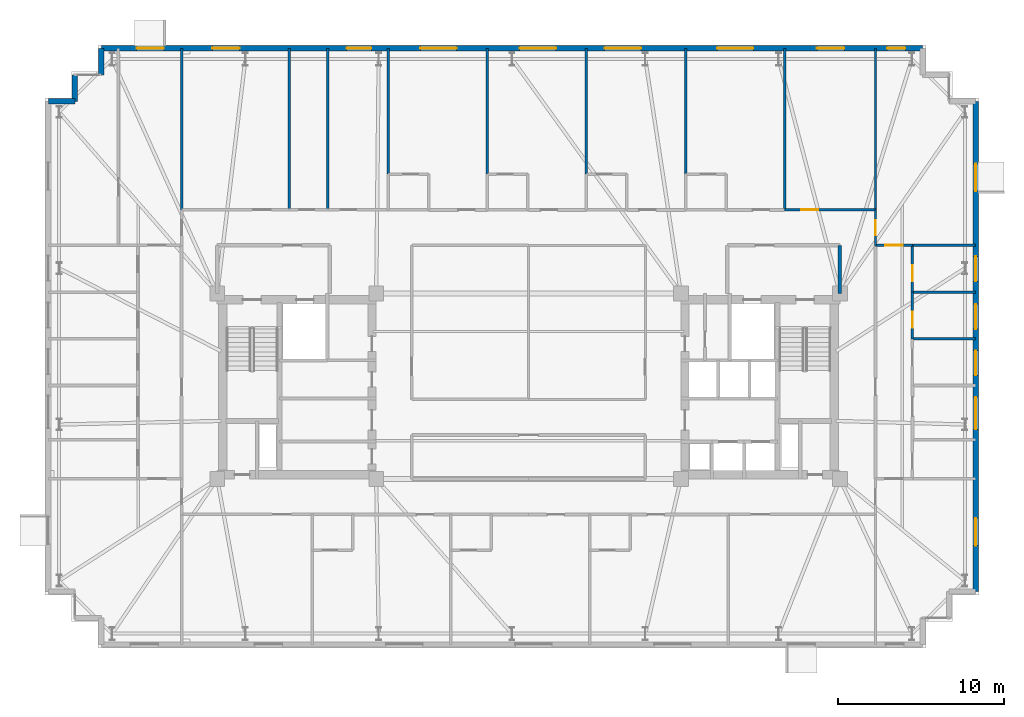
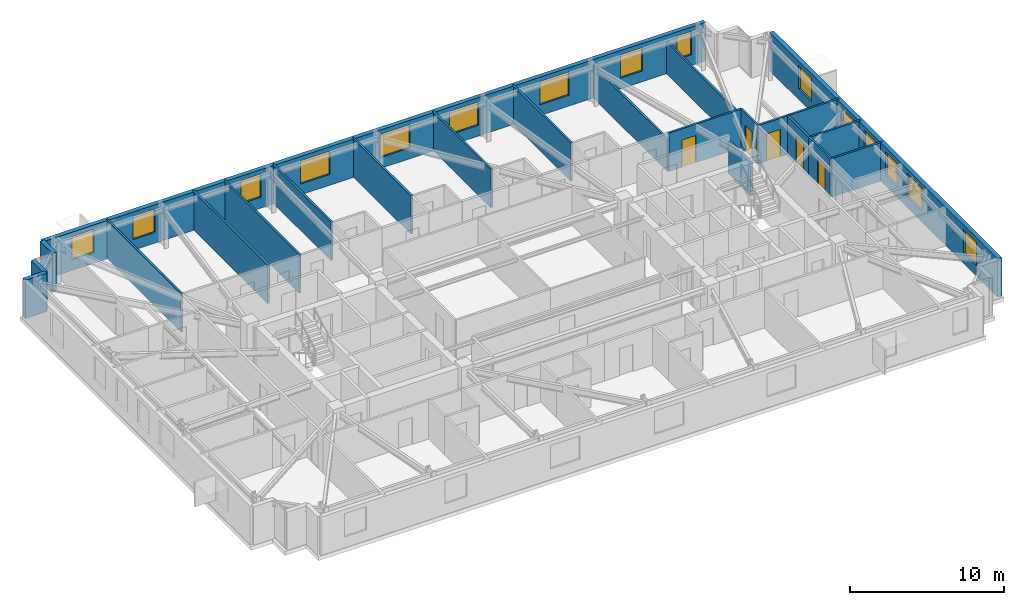
# One storey, part 15 of 19: 23 walls, 15 windows, 5 doors, 20 openings.
"""IFC4 building model written with IfcOpenShell, lengths in metres."""

from ifc_helpers import new_model, si_unit, direction, frame, frame_2d, origin, place, context, subcontext, project, spatial, rectangle, extrude, material, layer, layer_set, type_object, element, fill, save


model = new_model("IFC4")

# Units and contexts
model_context = context("Model", 3, precision=1e-05, world=origin(), true_north=direction((0.0, 1.0)))
body_context = subcontext(model_context, "Body", "Model", "MODEL_VIEW")
ifc_project = project(units=[si_unit("LENGTHUNIT", "METRE"), si_unit("AREAUNIT", "SQUARE_METRE"), si_unit("VOLUMEUNIT", "CUBIC_METRE"), si_unit("PLANEANGLEUNIT", "RADIAN"), si_unit("MASSUNIT", "GRAM", prefix="KILO")], contexts=[model_context])

# Site, building, storey
site_placement = place(None, origin())
site = spatial("IfcSite", under=ifc_project, at=site_placement, CompositionType="ELEMENT")
building_placement = place(site_placement, origin())
building = spatial("IfcBuilding", under=site, at=building_placement, Name="Qobustan Lattice House", CompositionType="ELEMENT")
storey_placement = place(building_placement, frame((0.0, 0.0, 137.699951171875)))
storey = spatial("IfcBuildingStorey", under=building, at=storey_placement, Name="L38", CompositionType="ELEMENT", Elevation=137.699951171875)

# Walls
ifc_material_1 = material(Name="Precast concrete C40/50", Category="concrete")
ifc_layer_1 = layer(ifc_material_1, 0.320068359375)
ifc_layer_set_1 = layer_set([ifc_layer_1], Name="Precast concrete C40/50")
wall_type_1 = type_object("IfcWallType", Name="WAL-EXT-STONE-320", PredefinedType="SOLIDWALL", material=ifc_layer_set_1)
for number, where, z_axis, x_axis, name in (
    (1, (-29.0, 17.199951171875, 0.0), (0.0, 0.0, 1.0), (1.0, 0.0, 0.0), "L38 exterior limestone-clad wall 6"),
    (2, (-27.39990234375, 17.199951171875, 0.0), (0.0, 0.0, 1.0), (0.0, 1.0, 0.0), "L38 exterior limestone-clad wall 7"),
):
    element("IfcWall", number, at=place(storey_placement, frame(where, z_axis=z_axis, x_axis=x_axis)), inside=storey, type_object=wall_type_1, Name=name, PredefinedType="SOLIDWALL", context=body_context, shape_type="SweptSolid", body=[
        extrude(rectangle(XDim=1.60009765625, YDim=0.320068359375, at=frame_2d((0.800048828125, 0.0))), origin(), (0.0, 0.0, 1.0), 3.0400390625),
    ])
wall_1_placement = place(storey_placement, frame((-25.800048828125, 18.800048828125, 0.0), z_axis=(0.0, 0.0, 1.0), x_axis=(0.0, 1.0, 0.0)))
element("IfcWall", 3, at=wall_1_placement, inside=storey, type_object=wall_type_1, Name="L38 exterior limestone-clad wall 9", PredefinedType="SOLIDWALL", context=body_context, shape_type="SweptSolid", body=[
    extrude(rectangle(XDim=1.599853515625, YDim=0.320068359375, at=frame_2d((0.7998046875, 0.0))), origin(), (0.0, 0.0, 1.0), 3.0400390625),
])

# Wall, openings, windows
wall_2_placement = place(storey_placement, frame((-25.800048828125, 20.39990234375, 0.0), z_axis=(0.0, 0.0, 1.0), x_axis=(1.0, 0.0, 0.0)))
wall_2 = element("IfcWall", 4, at=wall_2_placement, inside=storey, type_object=wall_type_1, Name="L38 exterior limestone-clad wall 10", PredefinedType="SOLIDWALL", context=body_context, shape_type="SweptSolid", body=[
    extrude(rectangle(XDim=49.60009765625, YDim=0.320068359375, at=frame_2d((24.800048828125, 0.0))), origin(), (0.0, 0.0, 1.0), 3.0400390625),
])
opening_1_placement = place(wall_2_placement, frame((2.135009765625, 0.0, 0.85009765625)))
opening_1 = element("IfcOpeningElement", 5, at=opening_1_placement, cuts=wall_2, Name="Opening WN-09", PredefinedType="OPENING", context=body_context, shape_type="SweptSolid", body=[
    extrude(rectangle(XDim=1.64990234375, YDim=1.85009765625, at=frame_2d((0.824951171875, 0.925048828125))), frame((0.0, 0.169921875, 0.0), z_axis=(0.0, -1.0, 0.0), x_axis=(1.0, 0.0, 0.0)), (0.0, 0.0, 1.0), 0.340087890625),
])
opening_2_placement = place(wall_2_placement, frame((6.70556640625, 0.0, 0.85009765625)))
opening_2 = element("IfcOpeningElement", 6, at=opening_2_placement, cuts=wall_2, Name="Opening WN-09", PredefinedType="OPENING", context=body_context, shape_type="SweptSolid", body=[
    extrude(rectangle(XDim=1.64990234375, YDim=1.85009765625, at=frame_2d((0.824951171875, 0.925048828125))), frame((0.0, 0.169921875, 0.0), z_axis=(0.0, -1.0, 0.0), x_axis=(1.0, 0.0, 0.0)), (0.0, 0.0, 1.0), 0.340087890625),
])
opening_3_placement = place(wall_2_placement, frame((14.81005859375, 0.0, 0.85009765625)))
opening_3 = element("IfcOpeningElement", 7, at=opening_3_placement, cuts=wall_2, Name="Opening WN-01", PredefinedType="OPENING", context=body_context, shape_type="SweptSolid", body=[
    extrude(rectangle(XDim=1.5, YDim=1.85009765625, at=frame_2d((0.75, 0.925048828125))), frame((0.0, 0.169921875, 0.0), z_axis=(0.0, -1.0, 0.0), x_axis=(1.0, 0.0, 0.0)), (0.0, 0.0, 1.0), 0.340087890625),
])
opening_4_placement = place(wall_2_placement, frame((19.260009765625, 0.0, 0.85009765625)))
opening_4 = element("IfcOpeningElement", 8, at=opening_4_placement, cuts=wall_2, Name="Opening WN-03", PredefinedType="OPENING", context=body_context, shape_type="SweptSolid", body=[
    extrude(rectangle(XDim=2.199951171875, YDim=1.85009765625, at=frame_2d((1.10009765625, 0.925048828125))), frame((0.0, 0.169921875, 0.0), z_axis=(0.0, -1.0, 0.0), x_axis=(1.0, 0.0, 0.0)), (0.0, 0.0, 1.0), 0.340087890625),
])
opening_5_placement = place(wall_2_placement, frame((25.260009765625, 0.0, 0.85009765625)))
opening_5 = element("IfcOpeningElement", 9, at=opening_5_placement, cuts=wall_2, Name="Opening WN-03", PredefinedType="OPENING", context=body_context, shape_type="SweptSolid", body=[
    extrude(rectangle(XDim=2.199951171875, YDim=1.85009765625, at=frame_2d((1.10009765625, 0.925048828125))), frame((0.0, 0.169921875, 0.0), z_axis=(0.0, -1.0, 0.0), x_axis=(1.0, 0.0, 0.0)), (0.0, 0.0, 1.0), 0.340087890625),
])
opening_6_placement = place(wall_2_placement, frame((30.39990234375, 0.0, 0.85009765625)))
opening_6 = element("IfcOpeningElement", 10, at=opening_6_placement, cuts=wall_2, Name="Opening WN-03", PredefinedType="OPENING", context=body_context, shape_type="SweptSolid", body=[
    extrude(rectangle(XDim=2.199951171875, YDim=1.85009765625, at=frame_2d((1.10009765625, 0.925048828125))), frame((0.0, 0.169921875, 0.0), z_axis=(0.0, -1.0, 0.0), x_axis=(1.0, 0.0, 0.0)), (0.0, 0.0, 1.0), 0.340087890625),
])
opening_7_placement = place(wall_2_placement, frame((37.179931640625, 0.0, 0.85009765625)))
opening_7 = element("IfcOpeningElement", 11, at=opening_7_placement, cuts=wall_2, Name="Opening WN-03", PredefinedType="OPENING", context=body_context, shape_type="SweptSolid", body=[
    extrude(rectangle(XDim=2.199951171875, YDim=1.85009765625, at=frame_2d((1.10009765625, 0.925048828125))), frame((0.0, 0.169921875, 0.0), z_axis=(0.0, -1.0, 0.0), x_axis=(1.0, 0.0, 0.0)), (0.0, 0.0, 1.0), 0.340087890625),
])
opening_8_placement = place(wall_2_placement, frame((43.215087890625, 0.0, 0.85009765625)))
opening_8 = element("IfcOpeningElement", 12, at=opening_8_placement, cuts=wall_2, Name="Opening WN-09", PredefinedType="OPENING", context=body_context, shape_type="SweptSolid", body=[
    extrude(rectangle(XDim=1.64990234375, YDim=1.85009765625, at=frame_2d((0.824951171875, 0.925048828125))), frame((0.0, 0.169921875, 0.0), z_axis=(0.0, -1.0, 0.0), x_axis=(1.0, 0.0, 0.0)), (0.0, 0.0, 1.0), 0.340087890625),
])
opening_9_placement = place(wall_2_placement, frame((47.449951171875, 0.0, 0.85009765625)))
opening_9 = element("IfcOpeningElement", 13, at=opening_9_placement, cuts=wall_2, Name="Opening WN-04", PredefinedType="OPENING", context=body_context, shape_type="SweptSolid", body=[
    extrude(rectangle(XDim=1.10009765625, YDim=1.85009765625, at=frame_2d((0.550048828125, 0.925048828125))), frame((0.0, 0.169921875, 0.0), z_axis=(0.0, -1.0, 0.0), x_axis=(1.0, 0.0, 0.0)), (0.0, 0.0, 1.0), 0.340087890625),
])
ifc_material_2 = material(Name="Double-glazed low-E aluminium window", Category="aluminium")
window_type_1 = type_object("IfcWindowType", Name="WIN-BED-1500x1850", PartitioningType="SINGLE_PANEL", PredefinedType="WINDOW", material=ifc_material_2)
window_1_placement = place(opening_3_placement, origin())
window_1 = element("IfcWindow", 14, at=window_1_placement, inside=storey, type_object=window_type_1, Name="L38 Laundry utility room window", OverallHeight=1.85009765625, OverallWidth=1.5, PartitioningType="SINGLE_PANEL", PredefinedType="WINDOW", context=body_context, shape_type="SweptSolid", body=[
    extrude(rectangle(XDim=1.5, YDim=1.85009765625, at=frame_2d((0.75, 0.925048828125))), frame((0.0, 0.030029296875, 0.0), z_axis=(0.0, -1.0, 0.0), x_axis=(1.0, 0.0, 0.0)), (0.0, 0.0, 1.0), 0.06005859375),
])
fill(opening_3, window_1)
ifc_material_3 = material(Name="Double-glazed low-E aluminium window", Category="aluminium")
window_type_2 = type_object("IfcWindowType", Name="WIN-NAR-1100x1850", PartitioningType="SINGLE_PANEL", PredefinedType="WINDOW", material=ifc_material_3)
window_2_placement = place(opening_9_placement, origin())
window_2 = element("IfcWindow", 15, at=window_2_placement, inside=storey, type_object=window_type_2, Name="L38 Reading study room L38EN window", OverallHeight=1.85009765625, OverallWidth=1.10009765625, PartitioningType="SINGLE_PANEL", PredefinedType="WINDOW", context=body_context, shape_type="SweptSolid", body=[
    extrude(rectangle(XDim=1.10009765625, YDim=1.85009765625, at=frame_2d((0.550048828125, 0.925048828125))), frame((0.0, 0.030029296875, 0.0), z_axis=(0.0, -1.0, 0.0), x_axis=(1.0, 0.0, 0.0)), (0.0, 0.0, 1.0), 0.06005859375),
])
fill(opening_9, window_2)
ifc_material_4 = material(Name="Double-glazed low-E aluminium window", Category="aluminium")
window_type_3 = type_object("IfcWindowType", Name="WIN-STU-1650x1850", PartitioningType="SINGLE_PANEL", PredefinedType="WINDOW", material=ifc_material_4)
window_3_placement = place(opening_1_placement, origin())
window_3 = element("IfcWindow", 16, at=window_3_placement, inside=storey, type_object=window_type_3, Name="L38 Reading seminar room L38WN window", OverallHeight=1.85009765625, OverallWidth=1.64990234375, PartitioningType="SINGLE_PANEL", PredefinedType="WINDOW", context=body_context, shape_type="SweptSolid", body=[
    extrude(rectangle(XDim=1.64990234375, YDim=1.85009765625, at=frame_2d((0.824951171875, 0.925048828125))), frame((0.0, 0.030029296875, 0.0), z_axis=(0.0, -1.0, 0.0), x_axis=(1.0, 0.0, 0.0)), (0.0, 0.0, 1.0), 0.06005859375),
])
fill(opening_1, window_3)
window_4_placement = place(opening_2_placement, origin())
window_4 = element("IfcWindow", 17, at=window_4_placement, inside=storey, type_object=window_type_3, Name="L38 Focus study room N1 window", OverallHeight=1.85009765625, OverallWidth=1.64990234375, PartitioningType="SINGLE_PANEL", PredefinedType="WINDOW", context=body_context, shape_type="SweptSolid", body=[
    extrude(rectangle(XDim=1.64990234375, YDim=1.85009765625, at=frame_2d((0.824951171875, 0.925048828125))), frame((0.0, 0.030029296875, 0.0), z_axis=(0.0, -1.0, 0.0), x_axis=(1.0, 0.0, 0.0)), (0.0, 0.0, 1.0), 0.06005859375),
])
fill(opening_2, window_4)
window_5_placement = place(opening_8_placement, origin())
window_5 = element("IfcWindow", 18, at=window_5_placement, inside=storey, type_object=window_type_3, Name="L38 Focus study room N7 window", OverallHeight=1.85009765625, OverallWidth=1.64990234375, PartitioningType="SINGLE_PANEL", PredefinedType="WINDOW", context=body_context, shape_type="SweptSolid", body=[
    extrude(rectangle(XDim=1.64990234375, YDim=1.85009765625, at=frame_2d((0.824951171875, 0.925048828125))), frame((0.0, 0.030029296875, 0.0), z_axis=(0.0, -1.0, 0.0), x_axis=(1.0, 0.0, 0.0)), (0.0, 0.0, 1.0), 0.06005859375),
])
fill(opening_8, window_5)
ifc_material_5 = material(Name="Double-glazed low-E aluminium window", Category="aluminium")
window_type_4 = type_object("IfcWindowType", Name="WIN-WIDE-2200x1850", PartitioningType="SINGLE_PANEL", PredefinedType="WINDOW", material=ifc_material_5)
window_6_placement = place(opening_4_placement, origin())
window_6 = element("IfcWindow", 19, at=window_6_placement, inside=storey, type_object=window_type_4, Name="L38 Kitchenette and studio apartment L38-N3 window", OverallHeight=1.85009765625, OverallWidth=2.199951171875, PartitioningType="SINGLE_PANEL", PredefinedType="WINDOW", context=body_context, shape_type="SweptSolid", body=[
    extrude(rectangle(XDim=2.199951171875, YDim=1.85009765625, at=frame_2d((1.10009765625, 0.925048828125))), frame((0.0, 0.030029296875, 0.0), z_axis=(0.0, -1.0, 0.0), x_axis=(1.0, 0.0, 0.0)), (0.0, 0.0, 1.0), 0.06005859375),
])
fill(opening_4, window_6)
window_7_placement = place(opening_5_placement, origin())
window_7 = element("IfcWindow", 20, at=window_7_placement, inside=storey, type_object=window_type_4, Name="L38 Kitchenette and studio apartment L38-N4 window", OverallHeight=1.85009765625, OverallWidth=2.199951171875, PartitioningType="SINGLE_PANEL", PredefinedType="WINDOW", context=body_context, shape_type="SweptSolid", body=[
    extrude(rectangle(XDim=2.199951171875, YDim=1.85009765625, at=frame_2d((1.10009765625, 0.925048828125))), frame((0.0, 0.030029296875, 0.0), z_axis=(0.0, -1.0, 0.0), x_axis=(1.0, 0.0, 0.0)), (0.0, 0.0, 1.0), 0.06005859375),
])
fill(opening_5, window_7)
window_8_placement = place(opening_6_placement, origin())
window_8 = element("IfcWindow", 21, at=window_8_placement, inside=storey, type_object=window_type_4, Name="L38 Kitchenette and studio apartment L38-N5 window", OverallHeight=1.85009765625, OverallWidth=2.199951171875, PartitioningType="SINGLE_PANEL", PredefinedType="WINDOW", context=body_context, shape_type="SweptSolid", body=[
    extrude(rectangle(XDim=2.199951171875, YDim=1.85009765625, at=frame_2d((1.10009765625, 0.925048828125))), frame((0.0, 0.030029296875, 0.0), z_axis=(0.0, -1.0, 0.0), x_axis=(1.0, 0.0, 0.0)), (0.0, 0.0, 1.0), 0.06005859375),
])
fill(opening_6, window_8)
window_9_placement = place(opening_7_placement, origin())
window_9 = element("IfcWindow", 22, at=window_9_placement, inside=storey, type_object=window_type_4, Name="L38 Kitchenette and studio apartment L38-N6 window", OverallHeight=1.85009765625, OverallWidth=2.199951171875, PartitioningType="SINGLE_PANEL", PredefinedType="WINDOW", context=body_context, shape_type="SweptSolid", body=[
    extrude(rectangle(XDim=2.199951171875, YDim=1.85009765625, at=frame_2d((1.10009765625, 0.925048828125))), frame((0.0, 0.030029296875, 0.0), z_axis=(0.0, -1.0, 0.0), x_axis=(1.0, 0.0, 0.0)), (0.0, 0.0, 1.0), 0.06005859375),
])
fill(opening_7, window_9)

wall_3_placement = place(storey_placement, frame((27.0, 17.199951171875, 0.0), z_axis=(0.0, 0.0, 1.0), x_axis=(0.0, -1.0, 0.0)))
wall_3 = element("IfcWall", 23, at=wall_3_placement, inside=storey, type_object=wall_type_1, Name="L38 exterior limestone-clad wall 15", PredefinedType="SOLIDWALL", context=body_context, shape_type="SweptSolid", body=[
    extrude(rectangle(XDim=29.599853515625, YDim=0.320068359375, at=frame_2d((14.7998046875, 0.0))), origin(), (0.0, 0.0, 1.0), 3.0400390625),
])
opening_10_placement = place(wall_3_placement, frame((3.77490234375, 0.0, 0.85009765625)))
opening_10 = element("IfcOpeningElement", 24, at=opening_10_placement, cuts=wall_3, Name="Opening WN-09", PredefinedType="OPENING", context=body_context, shape_type="SweptSolid", body=[
    extrude(rectangle(XDim=1.64990234375, YDim=1.85009765625, at=frame_2d((0.824951171875, 0.925048828125))), frame((0.0, 0.169921875, 0.0), z_axis=(0.0, -1.0, 0.0), x_axis=(1.0, 0.0, 0.0)), (0.0, 0.0, 1.0), 0.340087890625),
])
opening_11_placement = place(wall_3_placement, frame((9.3701171875, 0.0, 0.85009765625)))
opening_11 = element("IfcOpeningElement", 25, at=opening_11_placement, cuts=wall_3, Name="Opening WN-01", PredefinedType="OPENING", context=body_context, shape_type="SweptSolid", body=[
    extrude(rectangle(XDim=1.5, YDim=1.85009765625, at=frame_2d((0.75, 0.925048828125))), frame((0.0, 0.169921875, 0.0), z_axis=(0.0, -1.0, 0.0), x_axis=(1.0, 0.0, 0.0)), (0.0, 0.0, 1.0), 0.340087890625),
])
opening_12_placement = place(wall_3_placement, frame((12.25, 0.0, 0.85009765625)))
opening_12 = element("IfcOpeningElement", 26, at=opening_12_placement, cuts=wall_3, Name="Opening WN-01", PredefinedType="OPENING", context=body_context, shape_type="SweptSolid", body=[
    extrude(rectangle(XDim=1.5, YDim=1.85009765625, at=frame_2d((0.75, 0.925048828125))), frame((0.0, 0.169921875, 0.0), z_axis=(0.0, -1.0, 0.0), x_axis=(1.0, 0.0, 0.0)), (0.0, 0.0, 1.0), 0.340087890625),
])
opening_13_placement = place(wall_3_placement, frame((15.050048828125, 0.0, 0.85009765625)))
opening_13 = element("IfcOpeningElement", 27, at=opening_13_placement, cuts=wall_3, Name="Opening WN-01", PredefinedType="OPENING", context=body_context, shape_type="SweptSolid", body=[
    extrude(rectangle(XDim=1.5, YDim=1.85009765625, at=frame_2d((0.75, 0.925048828125))), frame((0.0, 0.169921875, 0.0), z_axis=(0.0, -1.0, 0.0), x_axis=(1.0, 0.0, 0.0)), (0.0, 0.0, 1.0), 0.340087890625),
])
opening_14_placement = place(wall_3_placement, frame((17.864990234375, 0.0, 0.85009765625)))
opening_14 = element("IfcOpeningElement", 28, at=opening_14_placement, cuts=wall_3, Name="Opening WN-08", PredefinedType="OPENING", context=body_context, shape_type="SweptSolid", body=[
    extrude(rectangle(XDim=1.949951171875, YDim=1.85009765625, at=frame_2d((0.97509765625, 0.925048828125))), frame((0.0, 0.169921875, 0.0), z_axis=(0.0, -1.0, 0.0), x_axis=(1.0, 0.0, 0.0)), (0.0, 0.0, 1.0), 0.340087890625),
])
opening_15_placement = place(wall_3_placement, frame((25.175048828125, 0.0, 0.85009765625)))
opening_15 = element("IfcOpeningElement", 29, at=opening_15_placement, cuts=wall_3, Name="Opening WN-09", PredefinedType="OPENING", context=body_context, shape_type="SweptSolid", body=[
    extrude(rectangle(XDim=1.64990234375, YDim=1.85009765625, at=frame_2d((0.824951171875, 0.925048828125))), frame((0.0, 0.169921875, 0.0), z_axis=(0.0, -1.0, 0.0), x_axis=(1.0, 0.0, 0.0)), (0.0, 0.0, 1.0), 0.340087890625),
])
window_10_placement = place(opening_11_placement, origin())
window_10 = element("IfcWindow", 30, at=window_10_placement, inside=storey, type_object=window_type_1, Name="L38 Cluster bedroom L38E3 window", OverallHeight=1.85009765625, OverallWidth=1.5, PartitioningType="SINGLE_PANEL", PredefinedType="WINDOW", context=body_context, shape_type="SweptSolid", body=[
    extrude(rectangle(XDim=1.5, YDim=1.85009765625, at=frame_2d((0.75, 0.925048828125))), frame((0.0, 0.030029296875, 0.0), z_axis=(0.0, -1.0, 0.0), x_axis=(1.0, 0.0, 0.0)), (0.0, 0.0, 1.0), 0.06005859375),
])
fill(opening_11, window_10)
window_11_placement = place(opening_12_placement, origin())
window_11 = element("IfcWindow", 31, at=window_11_placement, inside=storey, type_object=window_type_1, Name="L38 Cluster bedroom L38E2 window", OverallHeight=1.85009765625, OverallWidth=1.5, PartitioningType="SINGLE_PANEL", PredefinedType="WINDOW", context=body_context, shape_type="SweptSolid", body=[
    extrude(rectangle(XDim=1.5, YDim=1.85009765625, at=frame_2d((0.75, 0.925048828125))), frame((0.0, 0.030029296875, 0.0), z_axis=(0.0, -1.0, 0.0), x_axis=(1.0, 0.0, 0.0)), (0.0, 0.0, 1.0), 0.06005859375),
])
fill(opening_12, window_11)
window_12_placement = place(opening_13_placement, origin())
window_12 = element("IfcWindow", 32, at=window_12_placement, inside=storey, type_object=window_type_1, Name="L38 Cluster bedroom L38E1 window", OverallHeight=1.85009765625, OverallWidth=1.5, PartitioningType="SINGLE_PANEL", PredefinedType="WINDOW", context=body_context, shape_type="SweptSolid", body=[
    extrude(rectangle(XDim=1.5, YDim=1.85009765625, at=frame_2d((0.75, 0.925048828125))), frame((0.0, 0.030029296875, 0.0), z_axis=(0.0, -1.0, 0.0), x_axis=(1.0, 0.0, 0.0)), (0.0, 0.0, 1.0), 0.06005859375),
])
fill(opening_13, window_12)
ifc_material_6 = material(Name="Double-glazed low-E aluminium window", Category="aluminium")
window_type_5 = type_object("IfcWindowType", Name="WIN-KIT-1950x1850", PartitioningType="SINGLE_PANEL", PredefinedType="WINDOW", material=ifc_material_6)
window_13_placement = place(opening_14_placement, origin())
window_13 = element("IfcWindow", 33, at=window_13_placement, inside=storey, type_object=window_type_5, Name="L38 Shared kitchen L38E window", OverallHeight=1.85009765625, OverallWidth=1.949951171875, PartitioningType="SINGLE_PANEL", PredefinedType="WINDOW", context=body_context, shape_type="SweptSolid", body=[
    extrude(rectangle(XDim=1.949951171875, YDim=1.85009765625, at=frame_2d((0.97509765625, 0.925048828125))), frame((0.0, 0.030029296875, 0.0), z_axis=(0.0, -1.0, 0.0), x_axis=(1.0, 0.0, 0.0)), (0.0, 0.0, 1.0), 0.06005859375),
])
fill(opening_14, window_13)
window_14_placement = place(opening_10_placement, origin())
window_14 = element("IfcWindow", 34, at=window_14_placement, inside=storey, type_object=window_type_3, Name="L38 Reading study room L38EN window", OverallHeight=1.85009765625, OverallWidth=1.64990234375, PartitioningType="SINGLE_PANEL", PredefinedType="WINDOW", context=body_context, shape_type="SweptSolid", body=[
    extrude(rectangle(XDim=1.64990234375, YDim=1.85009765625, at=frame_2d((0.824951171875, 0.925048828125))), frame((0.0, 0.030029296875, 0.0), z_axis=(0.0, -1.0, 0.0), x_axis=(1.0, 0.0, 0.0)), (0.0, 0.0, 1.0), 0.06005859375),
])
fill(opening_10, window_14)
window_15_placement = place(opening_15_placement, origin())
window_15 = element("IfcWindow", 35, at=window_15_placement, inside=storey, type_object=window_type_3, Name="L38 Reading study room L38ES window", OverallHeight=1.85009765625, OverallWidth=1.64990234375, PartitioningType="SINGLE_PANEL", PredefinedType="WINDOW", context=body_context, shape_type="SweptSolid", body=[
    extrude(rectangle(XDim=1.64990234375, YDim=1.85009765625, at=frame_2d((0.824951171875, 0.925048828125))), frame((0.0, 0.030029296875, 0.0), z_axis=(0.0, -1.0, 0.0), x_axis=(1.0, 0.0, 0.0)), (0.0, 0.0, 1.0), 0.06005859375),
])
fill(opening_15, window_15)

# Wall, opening, door
ifc_material_7 = material(Name="Acoustic twin-stud gypsum partition", Category="gypsum")
ifc_layer_2 = layer(ifc_material_7, 0.14990234375)
ifc_layer_set_2 = layer_set([ifc_layer_2], Name="Acoustic twin-stud gypsum partition")
wall_type_2 = type_object("IfcWallType", Name="WAL-PART-150", PredefinedType="PARTITIONING", material=ifc_layer_set_2)
wall_4_placement = place(storey_placement, frame((20.949951171875, 10.64990234375, 0.0), z_axis=(0.0, 0.0, 1.0), x_axis=(0.0, -1.0, 0.0)))
wall_4 = element("IfcWall", 36, at=wall_4_placement, inside=storey, type_object=wall_type_2, Name="L38 interior partition 39", PredefinedType="PARTITIONING", context=body_context, shape_type="SweptSolid", body=[
    extrude(rectangle(XDim=2.14990234375, YDim=0.14990234375, at=frame_2d((1.074951171875, 0.0))), origin(), (0.0, 0.0, 1.0), 3.0400390625),
])
opening_16_placement = place(wall_4_placement, frame((0.625, 0.0, 0.0)))
opening_16 = element("IfcOpeningElement", 37, at=opening_16_placement, cuts=wall_4, Name="Opening WD-01", PredefinedType="OPENING", context=body_context, shape_type="SweptSolid", body=[
    extrude(rectangle(XDim=0.89990234375, YDim=2.10009765625, at=frame_2d((0.449951171875, 1.050048828125))), frame((0.0, 0.0849609375, 0.0), z_axis=(0.0, -1.0, 0.0), x_axis=(1.0, 0.0, 0.0)), (0.0, 0.0, 1.0), 0.169921875),
])
ifc_material_8 = material(Name="Persian walnut timber and steel frame door", Category="steel")
door_type_1 = type_object("IfcDoorType", Name="DOR-WET-900x2100", OperationType="NOTDEFINED", PredefinedType="DOOR", material=ifc_material_8)
door_1_placement = place(opening_16_placement, origin())
door_1 = element("IfcDoor", 38, at=door_1_placement, inside=storey, type_object=door_type_1, Name="L38 North-east floor corridor to Reading study room L38EN door", OperationType="SINGLE_SWING_LEFT", OverallHeight=2.10009765625, OverallWidth=0.89990234375, PredefinedType="DOOR", context=body_context, shape_type="SweptSolid", body=[
    extrude(rectangle(XDim=0.89990234375, YDim=2.10009765625, at=frame_2d((0.449951171875, 1.050048828125))), frame((0.0, 0.02490234375, 0.0), z_axis=(0.0, -1.0, 0.0), x_axis=(1.0, 0.0, 0.0)), (0.0, 0.0, 1.0), 0.050048828125),
])
fill(opening_16, door_1)

wall_5_placement = place(storey_placement, frame((15.464111328125, 10.64990234375, 0.0), z_axis=(0.0, 0.0, 1.0), x_axis=(1.0, 0.0, 0.0)))
wall_5 = element("IfcWall", 39, at=wall_5_placement, inside=storey, type_object=wall_type_2, Name="L38 interior partition 45", PredefinedType="PARTITIONING", context=body_context, shape_type="SweptSolid", body=[
    extrude(rectangle(XDim=5.48583984375, YDim=0.14990234375, at=frame_2d((2.742919921875, 0.0))), origin(), (0.0, 0.0, 1.0), 3.0400390625),
])
opening_17_placement = place(wall_5_placement, frame((0.989501953125, 0.0, 0.0)))
opening_17 = element("IfcOpeningElement", 40, at=opening_17_placement, cuts=wall_5, Name="Opening ID-02", PredefinedType="OPENING", context=body_context, shape_type="SweptSolid", body=[
    extrude(rectangle(XDim=1.050048828125, YDim=2.14990234375, at=frame_2d((0.52490234375, 1.074951171875))), frame((0.0, 0.0849609375, 0.0), z_axis=(0.0, -1.0, 0.0), x_axis=(1.0, 0.0, 0.0)), (0.0, 0.0, 1.0), 0.169921875),
])
ifc_material_9 = material(Name="Persian walnut timber and steel frame door", Category="steel")
door_type_2 = type_object("IfcDoorType", Name="DOR-STUDY-1050x2150", OperationType="NOTDEFINED", PredefinedType="DOOR", material=ifc_material_9)
door_2_placement = place(opening_17_placement, origin())
door_2 = element("IfcDoor", 41, at=door_2_placement, inside=storey, type_object=door_type_2, Name="L38 North-east floor corridor to Focus study room N7 door", OperationType="SINGLE_SWING_LEFT", OverallHeight=2.14990234375, OverallWidth=1.050048828125, PredefinedType="DOOR", context=body_context, shape_type="SweptSolid", body=[
    extrude(rectangle(XDim=1.050048828125, YDim=2.14990234375, at=frame_2d((0.52490234375, 1.074951171875))), frame((0.0, 0.02490234375, 0.0), z_axis=(0.0, -1.0, 0.0), x_axis=(1.0, 0.0, 0.0)), (0.0, 0.0, 1.0), 0.050048828125),
])
fill(opening_17, door_2)

# Wall
wall_6_placement = place(storey_placement, frame((-20.949951171875, 20.39990234375, 0.0), z_axis=(0.0, 0.0, 1.0), x_axis=(0.0, -1.0, 0.0)))
element("IfcWall", 42, at=wall_6_placement, inside=storey, type_object=wall_type_2, Name="L38 interior partition 78", PredefinedType="PARTITIONING", context=body_context, shape_type="SweptSolid", body=[
    extrude(rectangle(XDim=9.75, YDim=0.14990234375, at=frame_2d((4.875, 0.0))), origin(), (0.0, 0.0, 1.0), 3.0400390625),
])

# Wall, opening, door
wall_7_placement = place(storey_placement, frame((20.949951171875, 8.5, 0.0), z_axis=(0.0, 0.0, 1.0), x_axis=(1.0, 0.0, 0.0)))
wall_7 = element("IfcWall", 43, at=wall_7_placement, inside=storey, type_object=wall_type_2, Name="L38 interior partition 86", PredefinedType="PARTITIONING", context=body_context, shape_type="SweptSolid", body=[
    extrude(rectangle(XDim=2.22998046875, YDim=0.14990234375, at=frame_2d((1.114990234375, 0.0))), origin(), (0.0, 0.0, 1.0), 3.0400390625),
])
opening_18_placement = place(wall_7_placement, frame((0.590087890625, 0.0, 0.0)))
opening_18 = element("IfcOpeningElement", 44, at=opening_18_placement, cuts=wall_7, Name="Opening ID-02", PredefinedType="OPENING", context=body_context, shape_type="SweptSolid", body=[
    extrude(rectangle(XDim=1.050048828125, YDim=2.14990234375, at=frame_2d((0.52490234375, 1.074951171875))), frame((0.0, 0.0849609375, 0.0), z_axis=(0.0, -1.0, 0.0), x_axis=(1.0, 0.0, 0.0)), (0.0, 0.0, 1.0), 0.169921875),
])
door_3_placement = place(opening_18_placement, origin())
door_3 = element("IfcDoor", 45, at=door_3_placement, inside=storey, type_object=door_type_2, Name="L38 Residence entrance hall L38E to Reading study room L38EN door", OperationType="SINGLE_SWING_RIGHT", OverallHeight=2.14990234375, OverallWidth=1.050048828125, PredefinedType="DOOR", context=body_context, shape_type="SweptSolid", body=[
    extrude(rectangle(XDim=1.050048828125, YDim=2.14990234375, at=frame_2d((0.52490234375, 1.074951171875))), frame((0.0, 0.02490234375, 0.0), z_axis=(0.0, -1.0, 0.0), x_axis=(1.0, 0.0, 0.0)), (0.0, 0.0, 1.0), 0.050048828125),
])
fill(opening_18, door_3)

wall_8_placement = place(storey_placement, frame((23.179931640625, 5.679931640625, 0.0), z_axis=(0.0, 0.0, 1.0), x_axis=(0.0, -1.0, 0.0)))
wall_8 = element("IfcWall", 46, at=wall_8_placement, inside=storey, type_object=wall_type_2, Name="L38 interior partition 91", PredefinedType="PARTITIONING", context=body_context, shape_type="SweptSolid", body=[
    extrude(rectangle(XDim=2.81982421875, YDim=0.14990234375, at=frame_2d((1.409912109375, 0.0))), origin(), (0.0, 0.0, 1.0), 3.0400390625),
])
opening_19_placement = place(wall_8_placement, frame((1.201171875, 0.0, 0.0)))
opening_19 = element("IfcOpeningElement", 47, at=opening_19_placement, cuts=wall_8, Name="Opening ID-01", PredefinedType="OPENING", context=body_context, shape_type="SweptSolid", body=[
    extrude(rectangle(XDim=0.949951171875, YDim=2.10009765625, at=frame_2d((0.47509765625, 1.050048828125))), frame((0.0, 0.0849609375, 0.0), z_axis=(0.0, -1.0, 0.0), x_axis=(1.0, 0.0, 0.0)), (0.0, 0.0, 1.0), 0.169921875),
])
ifc_material_10 = material(Name="Persian walnut timber and steel frame door", Category="steel")
door_type_3 = type_object("IfcDoorType", Name="DOR-ROOM-950x2100", OperationType="NOTDEFINED", PredefinedType="DOOR", material=ifc_material_10)
door_4_placement = place(opening_19_placement, origin())
door_4 = element("IfcDoor", 48, at=door_4_placement, inside=storey, type_object=door_type_3, Name="L38 Residence entrance hall L38E to Cluster bedroom L38E2 door", OperationType="SINGLE_SWING_LEFT", OverallHeight=2.10009765625, OverallWidth=0.949951171875, PredefinedType="DOOR", context=body_context, shape_type="SweptSolid", body=[
    extrude(rectangle(XDim=0.949951171875, YDim=2.10009765625, at=frame_2d((0.47509765625, 1.050048828125))), frame((0.0, 0.02490234375, 0.0), z_axis=(0.0, -1.0, 0.0), x_axis=(1.0, 0.0, 0.0)), (0.0, 0.0, 1.0), 0.050048828125),
])
fill(opening_19, door_4)

wall_9_placement = place(storey_placement, frame((23.179931640625, 8.5, 0.0), z_axis=(0.0, 0.0, 1.0), x_axis=(0.0, -1.0, 0.0)))
wall_9 = element("IfcWall", 49, at=wall_9_placement, inside=storey, type_object=wall_type_2, Name="L38 interior partition 92", PredefinedType="PARTITIONING", context=body_context, shape_type="SweptSolid", body=[
    extrude(rectangle(XDim=2.820068359375, YDim=0.14990234375, at=frame_2d((1.41015625, 0.0))), origin(), (0.0, 0.0, 1.0), 3.0400390625),
])
opening_20_placement = place(wall_9_placement, frame((1.201171875, 0.0, 0.0)))
opening_20 = element("IfcOpeningElement", 50, at=opening_20_placement, cuts=wall_9, Name="Opening ID-01", PredefinedType="OPENING", context=body_context, shape_type="SweptSolid", body=[
    extrude(rectangle(XDim=0.949951171875, YDim=2.10009765625, at=frame_2d((0.47509765625, 1.050048828125))), frame((0.0, 0.0849609375, 0.0), z_axis=(0.0, -1.0, 0.0), x_axis=(1.0, 0.0, 0.0)), (0.0, 0.0, 1.0), 0.169921875),
])
door_5_placement = place(opening_20_placement, origin())
door_5 = element("IfcDoor", 51, at=door_5_placement, inside=storey, type_object=door_type_3, Name="L38 Residence entrance hall L38E to Cluster bedroom L38E3 door", OperationType="SINGLE_SWING_RIGHT", OverallHeight=2.10009765625, OverallWidth=0.949951171875, PredefinedType="DOOR", context=body_context, shape_type="SweptSolid", body=[
    extrude(rectangle(XDim=0.949951171875, YDim=2.10009765625, at=frame_2d((0.47509765625, 1.050048828125))), frame((0.0, 0.02490234375, 0.0), z_axis=(0.0, -1.0, 0.0), x_axis=(1.0, 0.0, 0.0)), (0.0, 0.0, 1.0), 0.050048828125),
])
fill(opening_20, door_5)

# Walls
wall_10_placement = place(storey_placement, frame((27.0, 8.5, 0.0), z_axis=(0.0, 0.0, 1.0), x_axis=(-1.0, 0.0, 0.0)))
element("IfcWall", 52, at=wall_10_placement, inside=storey, type_object=wall_type_2, Name="L38 interior partition 93", PredefinedType="PARTITIONING", context=body_context, shape_type="SweptSolid", body=[
    extrude(rectangle(XDim=3.820068359375, YDim=0.14990234375, at=frame_2d((1.91015625, 0.0))), origin(), (0.0, 0.0, 1.0), 3.0400390625),
])
wall_11_placement = place(storey_placement, frame((20.949951171875, 10.64990234375, 0.0), z_axis=(0.0, 0.0, 1.0), x_axis=(0.0, 1.0, 0.0)))
element("IfcWall", 53, at=wall_11_placement, inside=storey, type_object=wall_type_2, Name="L38 interior partition 94", PredefinedType="PARTITIONING", context=body_context, shape_type="SweptSolid", body=[
    extrude(rectangle(XDim=9.75, YDim=0.14990234375, at=frame_2d((4.875, 0.0))), origin(), (0.0, 0.0, 1.0), 2.525146484375),
])
for number, where, z_axis, x_axis, name in (
    (54, (23.179931640625, 2.860107421875, 0.0), (0.0, 0.0, 1.0), (1.0, 0.0, 0.0), "L38 interior partition 99"),
    (55, (23.179931640625, 5.679931640625, 0.0), (0.0, 0.0, 1.0), (1.0, 0.0, 0.0), "L38 interior partition 100"),
):
    element("IfcWall", number, at=place(storey_placement, frame(where, z_axis=z_axis, x_axis=x_axis)), inside=storey, type_object=wall_type_2, Name=name, PredefinedType="PARTITIONING", context=body_context, shape_type="SweptSolid", body=[
        extrude(rectangle(XDim=3.820068359375, YDim=0.14990234375, at=frame_2d((1.91015625, 0.0))), origin(), (0.0, 0.0, 1.0), 3.0400390625),
    ])
for number, where, z_axis, x_axis, name in (
    (56, (-8.47900390625, 20.39990234375, 0.0), (0.0, 0.0, 1.0), (0.0, -1.0, 0.0), "L38 interior partition 103"),
    (57, (-2.492919921875, 20.39990234375, 0.0), (0.0, 0.0, 1.0), (0.0, -1.0, 0.0), "L38 interior partition 107"),
    (58, (3.492919921875, 20.39990234375, 0.0), (0.0, 0.0, 1.0), (0.0, -1.0, 0.0), "L38 interior partition 111"),
    (59, (9.47900390625, 20.39990234375, 0.0), (0.0, 0.0, 1.0), (0.0, -1.0, 0.0), "L38 interior partition 115"),
):
    element("IfcWall", number, at=place(storey_placement, frame(where, z_axis=z_axis, x_axis=x_axis)), inside=storey, type_object=wall_type_2, Name=name, PredefinedType="PARTITIONING", context=body_context, shape_type="SweptSolid", body=[
        extrude(rectangle(XDim=7.599853515625, YDim=0.14990234375, at=frame_2d((3.7998046875, 0.0))), origin(), (0.0, 0.0, 1.0), 3.0400390625),
    ])
wall_12_placement = place(storey_placement, frame((15.464111328125, 20.39990234375, 0.0), z_axis=(0.0, 0.0, 1.0), x_axis=(0.0, -1.0, 0.0)))
element("IfcWall", 60, at=wall_12_placement, inside=storey, type_object=wall_type_2, Name="L38 interior partition 119", PredefinedType="PARTITIONING", context=body_context, shape_type="SweptSolid", body=[
    extrude(rectangle(XDim=9.75, YDim=0.14990234375, at=frame_2d((4.875, 0.0))), origin(), (0.0, 0.0, 1.0), 2.525146484375),
])
ifc_material_11 = material(Name="Two-hour gypsum fireboard acoustic partition", Category="gypsum")
ifc_layer_3 = layer(ifc_material_11, 0.199951171875)
ifc_layer_set_3 = layer_set([ifc_layer_3], Name="Two-hour gypsum fireboard acoustic partition")
wall_type_3 = type_object("IfcWallType", Name="WAL-PROT-200", PredefinedType="PARTITIONING", material=ifc_layer_set_3)
wall_13_placement = place(storey_placement, frame((18.800048828125, 5.60009765625, 0.0), z_axis=(0.0, 0.0, 1.0), x_axis=(0.0, 1.0, 0.0)))
element("IfcWall", 61, at=wall_13_placement, inside=storey, type_object=wall_type_3, Name="L38 interior partition 16", PredefinedType="PARTITIONING", context=body_context, shape_type="SweptSolid", body=[
    extrude(rectangle(XDim=2.89990234375, YDim=0.199951171875, at=frame_2d((1.449951171875, 0.0))), origin(), (0.0, 0.0, 1.0), 2.525146484375),
])
ifc_material_12 = material(Name="Moisture-resistant acoustic plumbing wall", Category="gypsum")
ifc_layer_4 = layer(ifc_material_12, 0.14990234375)
ifc_layer_set_4 = layer_set([ifc_layer_4], Name="Moisture-resistant acoustic plumbing wall")
wall_type_4 = type_object("IfcWallType", Name="WAL-WET-150", PredefinedType="PLUMBINGWALL", material=ifc_layer_set_4)
for number, where, z_axis, x_axis, name in (
    (62, (-14.464111328125, 20.39990234375, 0.0), (0.0, 0.0, 1.0), (0.0, -1.0, 0.0), "L38 interior partition 101"),
    (63, (-12.114013671875, 20.39990234375, 0.0), (0.0, 0.0, 1.0), (0.0, -1.0, 0.0), "L38 interior partition 102"),
):
    element("IfcWall", number, at=place(storey_placement, frame(where, z_axis=z_axis, x_axis=x_axis)), inside=storey, type_object=wall_type_4, Name=name, PredefinedType="PLUMBINGWALL", context=body_context, shape_type="SweptSolid", body=[
        extrude(rectangle(XDim=9.75, YDim=0.14990234375, at=frame_2d((4.875, 0.0))), origin(), (0.0, 0.0, 1.0), 3.0400390625),
    ])

save(model, "model.ifc")
